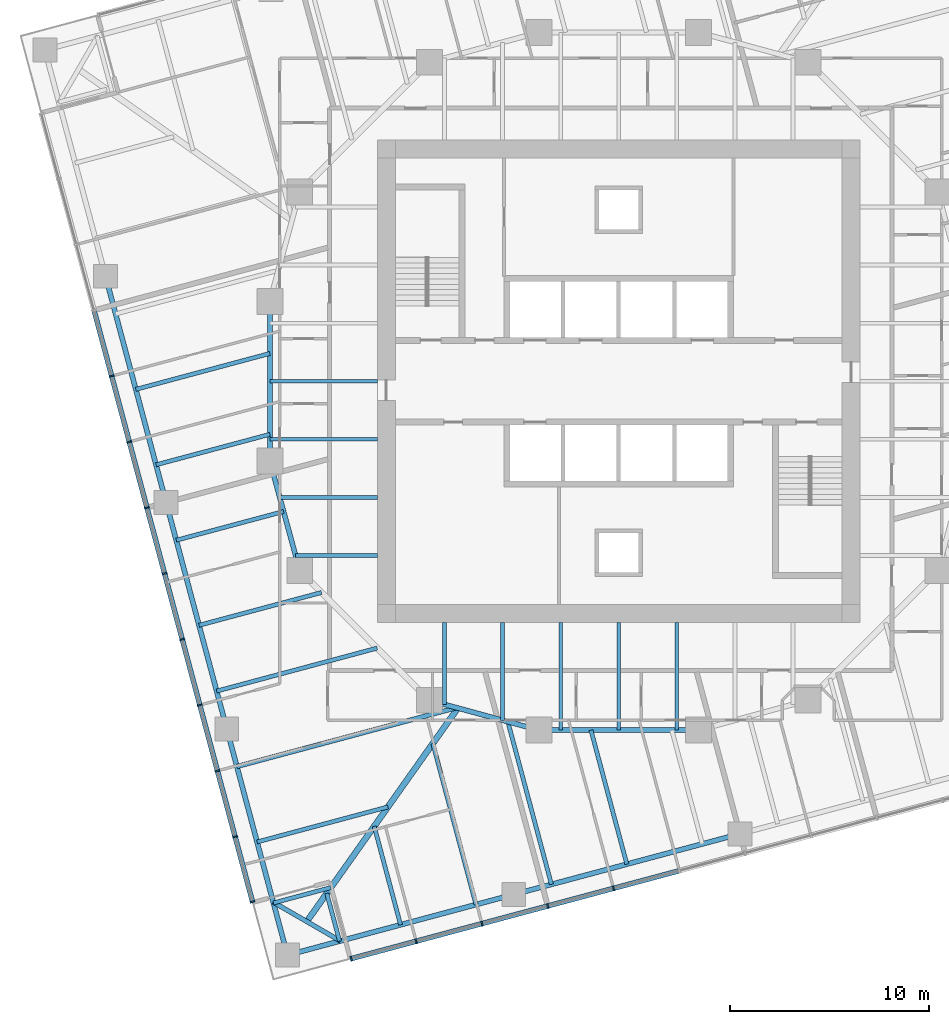
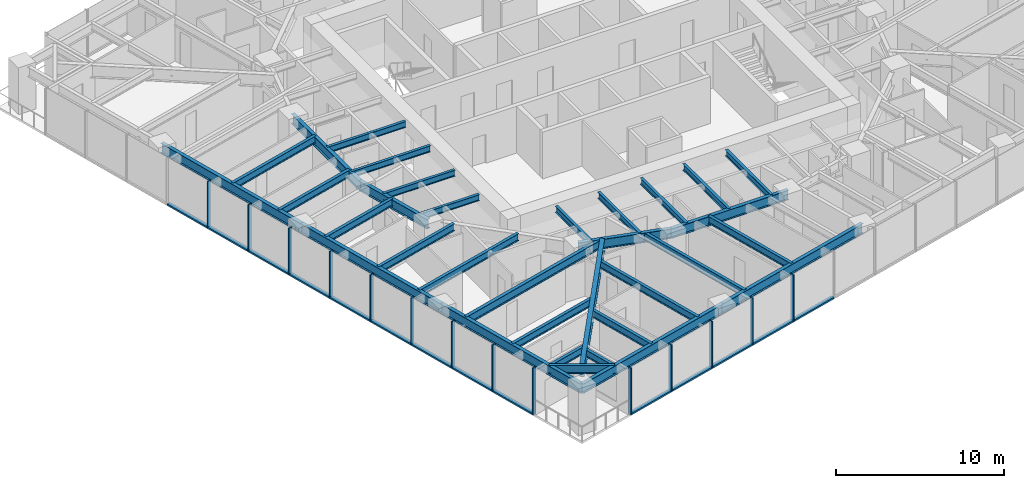
# One storey, part 2 of 14: 33 beams, 28 members, 2 elements without a shape of their own.
"""IFC4 building model written with IfcOpenShell, lengths in metres."""

from ifc_helpers import new_model, si_unit, direction, frame, origin, origin_2d, place, context, subcontext, project, spatial, rectangle, i_section, extrude, material, material_profile, profile_set, type_object, element, aggregate, save


model = new_model("IFC4")

# Units and contexts
model_context = context("Model", 3, precision=1e-05, world=origin(), true_north=direction((0.0, 1.0)))
body_context = subcontext(model_context, "Body", "Model", "MODEL_VIEW")
ifc_project = project(units=[si_unit("LENGTHUNIT", "METRE"), si_unit("AREAUNIT", "SQUARE_METRE"), si_unit("VOLUMEUNIT", "CUBIC_METRE"), si_unit("PLANEANGLEUNIT", "RADIAN"), si_unit("MASSUNIT", "GRAM", prefix="KILO")], contexts=[model_context])

# Site, building, storey
site_placement = place(None, origin())
site = spatial("IfcSite", under=ifc_project, at=site_placement, CompositionType="ELEMENT")
building_placement = place(site_placement, origin())
building = spatial("IfcBuilding", under=site, at=building_placement, Name="Torsade Residences", CompositionType="ELEMENT")
storey_placement = place(building_placement, frame((0.0, 0.0, 121.800048828125)))
storey = spatial("IfcBuildingStorey", under=building, at=storey_placement, Name="L33", CompositionType="ELEMENT", Elevation=121.800048828125)

# Beams
ifc_material_1 = material(Name="Steel grade 300", Category="steel")
ifc_material_profile_1 = material_profile(ifc_material_1, i_section(OverallWidth=0.300048828125, OverallDepth=0.89990234375, WebThickness=0.011962890625, FlangeThickness=0.02490234375, at=origin_2d()), Name="900WB175")
ifc_profile_set_1 = profile_set([ifc_material_profile_1], Name="Steel grade 300")
beam_type_1 = type_object("IfcBeamType", Name="CORNER GIRDER 900WB175", PredefinedType="BEAM", material=ifc_profile_set_1)
beam_1_placement = place(storey_placement, frame((24.355224609375, 2.902587890625, 2.800048828125), z_axis=(0.577683167004, 0.816261084801, 0.0), x_axis=(-0.816261084801, 0.577683167004, 0.0)))
element("IfcBeam", 1, at=beam_1_placement, inside=storey, type_object=beam_type_1, Name="Corner girder 01 L34", PredefinedType="BEAM", context=body_context, shape_type="SweptSolid", body=[
    extrude(i_section(OverallWidth=0.300048828125, OverallDepth=0.89990234375, WebThickness=0.011962890625, FlangeThickness=0.02490234375, at=origin_2d()), origin(), (0.0, 0.0, 1.0), 13.116943359375),
])
ifc_material_2 = material(Name="Steel grade 300", Category="steel")
ifc_material_profile_2 = material_profile(ifc_material_2, i_section(OverallWidth=0.22802734375, OverallDepth=0.60205078125, WebThickness=0.010498046875, FlangeThickness=0.014892578125, FilletRadius=0.013916015625, at=origin_2d()), Name="610UB101")
ifc_profile_set_2 = profile_set([ifc_material_profile_2], Name="Steel grade 300")
beam_type_2 = type_object("IfcBeamType", Name="CORNER TRIMMER 610UB101", PredefinedType="BEAM", material=ifc_profile_set_2)
beam_2_placement = place(storey_placement, frame((26.039306640625, 1.93017578125, 2.948974609375), z_axis=(-0.866028782848, 0.499994147244, 0.0), x_axis=(-0.499994147244, -0.866028782848, 0.0)))
element("IfcBeam", 2, at=beam_2_placement, inside=storey, type_object=beam_type_2, Name="Corner trimmer 01 L34", PredefinedType="BEAM", context=body_context, shape_type="SweptSolid", body=[
    extrude(i_section(OverallWidth=0.22802734375, OverallDepth=0.60205078125, WebThickness=0.010498046875, FlangeThickness=0.014892578125, FilletRadius=0.013916015625, at=origin_2d()), origin(), (0.0, 0.0, 1.0), 3.88916015625),
])
ifc_material_3 = material(Name="Steel grade 300", Category="steel")
ifc_material_profile_3 = material_profile(ifc_material_3, i_section(OverallWidth=0.25, OverallDepth=0.699951171875, WebThickness=0.010009765625, FlangeThickness=0.02001953125, at=origin_2d()), Name="700WB130")
ifc_profile_set_3 = profile_set([ifc_material_profile_3], Name="Steel grade 300")
beam_type_3 = type_object("IfcBeamType", Name="EDGE BEAM 700WB130", PredefinedType="SPANDREL", material=ifc_profile_set_3)
for number, where, z_axis, x_axis, name in (
    (3, (23.383056640625, 1.218505859375, 2.89990234375), (0.965928018634, 0.258810863021, 0.0), (-0.258810863021, 0.965928018634, 0.0), "Edge beam 01 L34"),
    (4, (34.732666015625, 4.259521484375, 2.89990234375), (0.965922824118, 0.258830249097, 0.0), (-0.258830249097, 0.965922824118, 0.0), "Edge beam 02 L34"),
    (5, (14.259521484375, 35.267333984375, 2.89990234375), (0.258830249097, -0.965922824118, 0.0), (0.965922824118, 0.258830249097, 0.0), "Edge beam 14 L34"),
    (6, (17.30078125, 23.917724609375, 2.89990234375), (0.258810863021, -0.965928018634, 0.0), (0.965928018634, 0.258810863021, 0.0), "Edge beam 15 L34"),
    (7, (20.341796875, 12.568115234375, 2.89990234375), (0.258830249097, -0.965922824118, 0.0), (0.965922824118, 0.258830249097, 0.0), "Edge beam 16 L34"),
):
    element("IfcBeam", number, at=place(storey_placement, frame(where, z_axis=z_axis, x_axis=x_axis)), inside=storey, type_object=beam_type_3, Name=name, PredefinedType="SPANDREL", context=body_context, shape_type="SweptSolid", body=[
        extrude(i_section(OverallWidth=0.25, OverallDepth=0.699951171875, WebThickness=0.010009765625, FlangeThickness=0.02001953125, at=origin_2d()), origin(), (0.0, 0.0, 1.0), 11.75),
    ])
ifc_material_4 = material(Name="Steel grade 300", Category="steel")
ifc_material_profile_4 = material_profile(ifc_material_4, i_section(OverallWidth=0.18994140625, OverallDepth=0.4541015625, WebThickness=0.008544921875, FlangeThickness=0.0126953125, FilletRadius=0.011474609375, at=origin_2d()), Name="460UB67.1")
ifc_profile_set_4 = profile_set([ifc_material_profile_4], Name="Steel grade 300")
beam_type_4 = type_object("IfcBeamType", Name="INNER FLOOR BEAM 460UB67.1", PredefinedType="JOIST", material=ifc_profile_set_4)
for number, where, z_axis, x_axis, name in (
    (8, (42.91259765625, 17.89990234375, 3.02294921875), (0.0, -1.0, 0.0), (1.0, 0.0, 0.0), "Inner floor beam IS03 L34"),
    (9, (40.0, 17.89990234375, 3.02294921875), (0.0, -1.0, 0.0), (1.0, 0.0, 0.0), "Inner floor beam IS04 L34"),
    (10, (37.08740234375, 17.89990234375, 3.02294921875), (0.0, -1.0, 0.0), (1.0, 0.0, 0.0), "Inner floor beam IS05 L34"),
):
    element("IfcBeam", number, at=place(storey_placement, frame(where, z_axis=z_axis, x_axis=x_axis)), inside=storey, type_object=beam_type_4, Name=name, PredefinedType="JOIST", context=body_context, shape_type="SweptSolid", body=[
        extrude(i_section(OverallWidth=0.18994140625, OverallDepth=0.4541015625, WebThickness=0.008544921875, FlangeThickness=0.0126953125, FilletRadius=0.011474609375, at=origin_2d()), origin(), (0.0, 0.0, 1.0), 5.39990234375),
    ])
beam_3_placement = place(storey_placement, frame((34.175048828125, 17.89990234375, 3.02294921875), z_axis=(0.0, -1.0, 0.0), x_axis=(1.0, 0.0, 0.0)))
element("IfcBeam", 11, at=beam_3_placement, inside=storey, type_object=beam_type_4, Name="Inner floor beam IS06 L34", PredefinedType="JOIST", context=body_context, shape_type="SweptSolid", body=[
    extrude(i_section(OverallWidth=0.18994140625, OverallDepth=0.4541015625, WebThickness=0.008544921875, FlangeThickness=0.0126953125, FilletRadius=0.011474609375, at=origin_2d()), origin(), (0.0, 0.0, 1.0), 4.902099609375),
])
beam_4_placement = place(storey_placement, frame((31.262451171875, 17.89990234375, 3.02294921875), z_axis=(0.0, -1.0, 0.0), x_axis=(1.0, 0.0, 0.0)))
element("IfcBeam", 12, at=beam_4_placement, inside=storey, type_object=beam_type_4, Name="Inner floor beam IS07 L34", PredefinedType="JOIST", context=body_context, shape_type="SweptSolid", body=[
    extrude(i_section(OverallWidth=0.18994140625, OverallDepth=0.4541015625, WebThickness=0.008544921875, FlangeThickness=0.0126953125, FilletRadius=0.011474609375, at=origin_2d()), origin(), (0.0, 0.0, 1.0), 4.10791015625),
])
for number, where, z_axis, x_axis, name in (
    (13, (27.89990234375, 30.0, 3.02294921875), (-1.0, 0.0, 0.0), (0.0, -1.0, 0.0), "Inner floor beam IW04 L34"),
    (14, (27.89990234375, 27.08740234375, 3.02294921875), (-1.0, 0.0, 0.0), (0.0, -1.0, 0.0), "Inner floor beam IW05 L34"),
):
    element("IfcBeam", number, at=place(storey_placement, frame(where, z_axis=z_axis, x_axis=x_axis)), inside=storey, type_object=beam_type_4, Name=name, PredefinedType="JOIST", context=body_context, shape_type="SweptSolid", body=[
        extrude(i_section(OverallWidth=0.18994140625, OverallDepth=0.4541015625, WebThickness=0.008544921875, FlangeThickness=0.0126953125, FilletRadius=0.011474609375, at=origin_2d()), origin(), (0.0, 0.0, 1.0), 5.39990234375),
    ])
beam_5_placement = place(storey_placement, frame((27.89990234375, 24.175048828125, 3.02294921875), z_axis=(-1.0, 0.0, 0.0), x_axis=(0.0, -1.0, 0.0)))
element("IfcBeam", 15, at=beam_5_placement, inside=storey, type_object=beam_type_4, Name="Inner floor beam IW06 L34", PredefinedType="JOIST", context=body_context, shape_type="SweptSolid", body=[
    extrude(i_section(OverallWidth=0.18994140625, OverallDepth=0.4541015625, WebThickness=0.008544921875, FlangeThickness=0.0126953125, FilletRadius=0.011474609375, at=origin_2d()), origin(), (0.0, 0.0, 1.0), 4.902099609375),
])
beam_6_placement = place(storey_placement, frame((27.89990234375, 21.262451171875, 3.02294921875), z_axis=(-1.0, 0.0, 0.0), x_axis=(0.0, -1.0, 0.0)))
element("IfcBeam", 16, at=beam_6_placement, inside=storey, type_object=beam_type_4, Name="Inner floor beam IW07 L34", PredefinedType="JOIST", context=body_context, shape_type="SweptSolid", body=[
    extrude(i_section(OverallWidth=0.18994140625, OverallDepth=0.4541015625, WebThickness=0.008544921875, FlangeThickness=0.0126953125, FilletRadius=0.011474609375, at=origin_2d()), origin(), (0.0, 0.0, 1.0), 4.10791015625),
])

# Curtain wall, members
ifc_material_5 = material(Name="Aluminium and glass", Category="aluminium")
curtain_wall_type = type_object("IfcCurtainWallType", Name="FRITTED GLASS CURTAIN WALL MID ZONE", PredefinedType="NOTDEFINED", material=ifc_material_5)
curtain_wall_1_placement = place(storey_placement, origin())
curtain_wall_1 = element("IfcCurtainWall", 17, at=curtain_wall_1_placement, inside=storey, type_object=curtain_wall_type, Name="Curtain wall L33 face 1", PredefinedType="NOTDEFINED")
ifc_material_6 = material(Name="Aluminium mullion", Category="aluminium")
ifc_material_profile_5 = material_profile(ifc_material_6, rectangle(XDim=0.25, YDim=0.080078125, at=origin_2d()), Name="MID ZONE CURTAIN WALL MULLION 250x80")
ifc_profile_set_5 = profile_set([ifc_material_profile_5], Name="Aluminium mullion")
member_type_1 = type_object("IfcMemberType", Name="MID ZONE CURTAIN WALL MULLION 250x80", PredefinedType="MULLION", material=ifc_profile_set_5)
member_1_placement = place(storey_placement, frame((26.578125, 1.039306640625, 0.0), z_axis=(0.0, 0.0, 1.0), x_axis=(-0.258819047783, 0.965925825571, 0.0)))
member_1 = element("IfcMember", 18, at=member_1_placement, type_object=member_type_1, Name="Mullion 1", PredefinedType="MULLION", context=body_context, shape_type="SweptSolid", body=[
    extrude(rectangle(XDim=0.25, YDim=0.080078125, at=origin_2d()), origin(), (0.0, 0.0, 1.0), 3.39990234375),
])
member_2_placement = place(storey_placement, frame((29.83984375, 1.913330078125, 0.0), z_axis=(0.0, 0.0, 1.0), x_axis=(-0.258819047783, 0.965925825571, 0.0)))
member_2 = element("IfcMember", 19, at=member_2_placement, type_object=member_type_1, Name="Mullion 2", PredefinedType="MULLION", context=body_context, shape_type="SweptSolid", body=[
    extrude(rectangle(XDim=0.25, YDim=0.080078125, at=origin_2d()), origin(), (0.0, 0.0, 1.0), 3.39990234375),
])
member_3_placement = place(storey_placement, frame((33.14013671875, 2.797607421875, 0.0), z_axis=(0.0, 0.0, 1.0), x_axis=(-0.258819047783, 0.965925825571, 0.0)))
member_3 = element("IfcMember", 20, at=member_3_placement, type_object=member_type_1, Name="Mullion 3", PredefinedType="MULLION", context=body_context, shape_type="SweptSolid", body=[
    extrude(rectangle(XDim=0.25, YDim=0.080078125, at=origin_2d()), origin(), (0.0, 0.0, 1.0), 3.39990234375),
])
member_4_placement = place(storey_placement, frame((36.4404296875, 3.681884765625, 0.0), z_axis=(0.0, 0.0, 1.0), x_axis=(-0.258819047783, 0.965925825571, 0.0)))
member_4 = element("IfcMember", 21, at=member_4_placement, type_object=member_type_1, Name="Mullion 4", PredefinedType="MULLION", context=body_context, shape_type="SweptSolid", body=[
    extrude(rectangle(XDim=0.25, YDim=0.080078125, at=origin_2d()), origin(), (0.0, 0.0, 1.0), 3.39990234375),
])
member_5_placement = place(storey_placement, frame((39.740478515625, 4.566162109375, 0.0), z_axis=(0.0, 0.0, 1.0), x_axis=(-0.258819047783, 0.965925825571, 0.0)))
member_5 = element("IfcMember", 22, at=member_5_placement, type_object=member_type_1, Name="Mullion 5", PredefinedType="MULLION", context=body_context, shape_type="SweptSolid", body=[
    extrude(rectangle(XDim=0.25, YDim=0.080078125, at=origin_2d()), origin(), (0.0, 0.0, 1.0), 3.39990234375),
])

curtain_wall_2_placement = place(storey_placement, origin())
curtain_wall_2 = element("IfcCurtainWall", 23, at=curtain_wall_2_placement, inside=storey, type_object=curtain_wall_type, Name="Curtain wall L33 face 10", PredefinedType="NOTDEFINED")
member_6_placement = place(storey_placement, frame((14.566162109375, 30.259521484375, 0.0), z_axis=(0.0, 0.0, 1.0), x_axis=(0.965925825571, 0.258819047783, 0.0)))
member_6 = element("IfcMember", 24, at=member_6_placement, type_object=member_type_1, Name="Mullion 5", PredefinedType="MULLION", context=body_context, shape_type="SweptSolid", body=[
    extrude(rectangle(XDim=0.25, YDim=0.080078125, at=origin_2d()), origin(), (0.0, 0.0, 1.0), 3.39990234375),
])
member_7_placement = place(storey_placement, frame((15.450439453125, 26.959228515625, 0.0), z_axis=(0.0, 0.0, 1.0), x_axis=(0.965925825571, 0.258819047783, 0.0)))
member_7 = element("IfcMember", 25, at=member_7_placement, type_object=member_type_1, Name="Mullion 6", PredefinedType="MULLION", context=body_context, shape_type="SweptSolid", body=[
    extrude(rectangle(XDim=0.25, YDim=0.080078125, at=origin_2d()), origin(), (0.0, 0.0, 1.0), 3.39990234375),
])
member_8_placement = place(storey_placement, frame((16.334716796875, 23.658935546875, 0.0), z_axis=(0.0, 0.0, 1.0), x_axis=(0.965925825571, 0.258819047783, 0.0)))
member_8 = element("IfcMember", 26, at=member_8_placement, type_object=member_type_1, Name="Mullion 7", PredefinedType="MULLION", context=body_context, shape_type="SweptSolid", body=[
    extrude(rectangle(XDim=0.25, YDim=0.080078125, at=origin_2d()), origin(), (0.0, 0.0, 1.0), 3.39990234375),
])
member_9_placement = place(storey_placement, frame((17.218994140625, 20.358642578125, 0.0), z_axis=(0.0, 0.0, 1.0), x_axis=(0.965925825571, 0.258819047783, 0.0)))
member_9 = element("IfcMember", 27, at=member_9_placement, type_object=member_type_1, Name="Mullion 8", PredefinedType="MULLION", context=body_context, shape_type="SweptSolid", body=[
    extrude(rectangle(XDim=0.25, YDim=0.080078125, at=origin_2d()), origin(), (0.0, 0.0, 1.0), 3.39990234375),
])
member_10_placement = place(storey_placement, frame((18.103515625, 17.058349609375, 0.0), z_axis=(0.0, 0.0, 1.0), x_axis=(0.965925825571, 0.258819047783, 0.0)))
member_10 = element("IfcMember", 28, at=member_10_placement, type_object=member_type_1, Name="Mullion 9", PredefinedType="MULLION", context=body_context, shape_type="SweptSolid", body=[
    extrude(rectangle(XDim=0.25, YDim=0.080078125, at=origin_2d()), origin(), (0.0, 0.0, 1.0), 3.39990234375),
])
member_11_placement = place(storey_placement, frame((18.98779296875, 13.75830078125, 0.0), z_axis=(0.0, 0.0, 1.0), x_axis=(0.965925825571, 0.258819047783, 0.0)))
member_11 = element("IfcMember", 29, at=member_11_placement, type_object=member_type_1, Name="Mullion 10", PredefinedType="MULLION", context=body_context, shape_type="SweptSolid", body=[
    extrude(rectangle(XDim=0.25, YDim=0.080078125, at=origin_2d()), origin(), (0.0, 0.0, 1.0), 3.39990234375),
])
member_12_placement = place(storey_placement, frame((19.8720703125, 10.4580078125, 0.0), z_axis=(0.0, 0.0, 1.0), x_axis=(0.965925825571, 0.258819047783, 0.0)))
member_12 = element("IfcMember", 30, at=member_12_placement, type_object=member_type_1, Name="Mullion 11", PredefinedType="MULLION", context=body_context, shape_type="SweptSolid", body=[
    extrude(rectangle(XDim=0.25, YDim=0.080078125, at=origin_2d()), origin(), (0.0, 0.0, 1.0), 3.39990234375),
])
member_13_placement = place(storey_placement, frame((20.75634765625, 7.15771484375, 0.0), z_axis=(0.0, 0.0, 1.0), x_axis=(0.965925825571, 0.258819047783, 0.0)))
member_13 = element("IfcMember", 31, at=member_13_placement, type_object=member_type_1, Name="Mullion 12", PredefinedType="MULLION", context=body_context, shape_type="SweptSolid", body=[
    extrude(rectangle(XDim=0.25, YDim=0.080078125, at=origin_2d()), origin(), (0.0, 0.0, 1.0), 3.39990234375),
])
member_14_placement = place(storey_placement, frame((21.63037109375, 3.89599609375, 0.0), z_axis=(0.0, 0.0, 1.0), x_axis=(0.965925825571, 0.258819047783, 0.0)))
member_14 = element("IfcMember", 32, at=member_14_placement, type_object=member_type_1, Name="Mullion 13", PredefinedType="MULLION", context=body_context, shape_type="SweptSolid", body=[
    extrude(rectangle(XDim=0.25, YDim=0.080078125, at=origin_2d()), origin(), (0.0, 0.0, 1.0), 3.39990234375),
])

# Member
ifc_material_7 = material(Name="Aluminium transom", Category="aluminium")
ifc_material_profile_6 = material_profile(ifc_material_7, rectangle(XDim=0.25, YDim=0.110107421875, at=origin_2d()), Name="MID ZONE CURTAIN WALL TRANSOM 250x110")
ifc_profile_set_6 = profile_set([ifc_material_profile_6], Name="Aluminium transom")
member_type_2 = type_object("IfcMemberType", Name="MID ZONE CURTAIN WALL TRANSOM 250x110", PredefinedType="USERDEFINED", material=ifc_profile_set_6)
member_15_placement = place(storey_placement, frame((26.616943359375, 1.0498046875, 0.054931640625), z_axis=(0.965923258633, 0.258828627534, 0.0), x_axis=(-0.258828627534, 0.965923258633, 0.0)))
member_15 = element("IfcMember", 33, at=member_15_placement, type_object=member_type_2, Name="Transom 1.1", ObjectType="TRANSOM", PredefinedType="USERDEFINED", context=body_context, shape_type="SweptSolid", body=[
    extrude(rectangle(XDim=0.25, YDim=0.110107421875, at=origin_2d()), origin(), (0.0, 0.0, 1.0), 3.296630859375),
])

member_16_placement = place(storey_placement, frame((29.87841796875, 1.923583984375, 0.054931640625), z_axis=(0.965916044226, 0.258855549498, 0.0), x_axis=(-0.258855549498, 0.965916044226, 0.0)))
member_16 = element("IfcMember", 34, at=member_16_placement, type_object=member_type_2, Name="Transom 2.1", ObjectType="TRANSOM", PredefinedType="USERDEFINED", context=body_context, shape_type="SweptSolid", body=[
    extrude(rectangle(XDim=0.25, YDim=0.110107421875, at=origin_2d()), origin(), (0.0, 0.0, 1.0), 3.3369140625),
])

member_17_placement = place(storey_placement, frame((33.1787109375, 2.807861328125, 0.054931640625), z_axis=(0.96591114124, 0.258873844232, 0.0), x_axis=(-0.258873844232, 0.96591114124, 0.0)))
member_17 = element("IfcMember", 35, at=member_17_placement, type_object=member_type_2, Name="Transom 3.1", ObjectType="TRANSOM", PredefinedType="USERDEFINED", context=body_context, shape_type="SweptSolid", body=[
    extrude(rectangle(XDim=0.25, YDim=0.110107421875, at=origin_2d()), origin(), (0.0, 0.0, 1.0), 3.336669921875),
])

member_18_placement = place(storey_placement, frame((36.47900390625, 3.6923828125, 0.054931640625), z_axis=(0.965929435155, 0.258805576255, 0.0), x_axis=(-0.258805576255, 0.965929435155, 0.0)))
member_18 = element("IfcMember", 36, at=member_18_placement, type_object=member_type_2, Name="Transom 4.1", ObjectType="TRANSOM", PredefinedType="USERDEFINED", context=body_context, shape_type="SweptSolid", body=[
    extrude(rectangle(XDim=0.25, YDim=0.110107421875, at=origin_2d()), origin(), (0.0, 0.0, 1.0), 3.336669921875),
])

member_19_placement = place(storey_placement, frame((39.779296875, 4.57666015625, 0.054931640625), z_axis=(0.965929435155, 0.258805576255, 0.0), x_axis=(-0.258805576255, 0.965929435155, 0.0)))
member_19 = element("IfcMember", 37, at=member_19_placement, type_object=member_type_2, Name="Transom 5.1", ObjectType="TRANSOM", PredefinedType="USERDEFINED", context=body_context, shape_type="SweptSolid", body=[
    extrude(rectangle(XDim=0.25, YDim=0.110107421875, at=origin_2d()), origin(), (0.0, 0.0, 1.0), 3.336669921875),
])

aggregate(curtain_wall_1, [member_1, member_2, member_3, member_4, member_5, member_15, member_16, member_17, member_18, member_19])

member_20_placement = place(storey_placement, frame((13.6923828125, 33.52099609375, 0.054931640625), z_axis=(0.258805576255, -0.965929435155, 0.0), x_axis=(0.965929435155, 0.258805576255, 0.0)))
member_20 = element("IfcMember", 38, at=member_20_placement, type_object=member_type_2, Name="Transom 4.1", ObjectType="TRANSOM", PredefinedType="USERDEFINED", context=body_context, shape_type="SweptSolid", body=[
    extrude(rectangle(XDim=0.25, YDim=0.110107421875, at=origin_2d()), origin(), (0.0, 0.0, 1.0), 3.336669921875),
])

member_21_placement = place(storey_placement, frame((14.57666015625, 30.220703125, 0.054931640625), z_axis=(0.258805576255, -0.965929435155, 0.0), x_axis=(0.965929435155, 0.258805576255, 0.0)))
member_21 = element("IfcMember", 39, at=member_21_placement, type_object=member_type_2, Name="Transom 5.1", ObjectType="TRANSOM", PredefinedType="USERDEFINED", context=body_context, shape_type="SweptSolid", body=[
    extrude(rectangle(XDim=0.25, YDim=0.110107421875, at=origin_2d()), origin(), (0.0, 0.0, 1.0), 3.336669921875),
])

member_22_placement = place(storey_placement, frame((15.4609375, 26.920654296875, 0.054931640625), z_axis=(0.258787285653, -0.965934335648, 0.0), x_axis=(0.965934335648, 0.258787285653, 0.0)))
member_22 = element("IfcMember", 40, at=member_22_placement, type_object=member_type_2, Name="Transom 6.1", ObjectType="TRANSOM", PredefinedType="USERDEFINED", context=body_context, shape_type="SweptSolid", body=[
    extrude(rectangle(XDim=0.25, YDim=0.110107421875, at=origin_2d()), origin(), (0.0, 0.0, 1.0), 3.3369140625),
])

member_23_placement = place(storey_placement, frame((16.34521484375, 23.620361328125, 0.054931640625), z_axis=(0.258787285653, -0.965934335648, 0.0), x_axis=(0.965934335648, 0.258787285653, 0.0)))
member_23 = element("IfcMember", 41, at=member_23_placement, type_object=member_type_2, Name="Transom 7.1", ObjectType="TRANSOM", PredefinedType="USERDEFINED", context=body_context, shape_type="SweptSolid", body=[
    extrude(rectangle(XDim=0.25, YDim=0.110107421875, at=origin_2d()), origin(), (0.0, 0.0, 1.0), 3.3369140625),
])

member_24_placement = place(storey_placement, frame((17.2294921875, 20.320068359375, 0.054931640625), z_axis=(0.258805576255, -0.965929435155, 0.0), x_axis=(0.965929435155, 0.258805576255, 0.0)))
member_24 = element("IfcMember", 42, at=member_24_placement, type_object=member_type_2, Name="Transom 8.1", ObjectType="TRANSOM", PredefinedType="USERDEFINED", context=body_context, shape_type="SweptSolid", body=[
    extrude(rectangle(XDim=0.25, YDim=0.110107421875, at=origin_2d()), origin(), (0.0, 0.0, 1.0), 3.336669921875),
])

member_25_placement = place(storey_placement, frame((18.11376953125, 17.019775390625, 0.054931640625), z_axis=(0.258805576255, -0.965929435155, 0.0), x_axis=(0.965929435155, 0.258805576255, 0.0)))
member_25 = element("IfcMember", 43, at=member_25_placement, type_object=member_type_2, Name="Transom 9.1", ObjectType="TRANSOM", PredefinedType="USERDEFINED", context=body_context, shape_type="SweptSolid", body=[
    extrude(rectangle(XDim=0.25, YDim=0.110107421875, at=origin_2d()), origin(), (0.0, 0.0, 1.0), 3.336669921875),
])

member_26_placement = place(storey_placement, frame((18.998046875, 13.719482421875, 0.054931640625), z_axis=(0.258805576255, -0.965929435155, 0.0), x_axis=(0.965929435155, 0.258805576255, 0.0)))
member_26 = element("IfcMember", 44, at=member_26_placement, type_object=member_type_2, Name="Transom 10.1", ObjectType="TRANSOM", PredefinedType="USERDEFINED", context=body_context, shape_type="SweptSolid", body=[
    extrude(rectangle(XDim=0.25, YDim=0.110107421875, at=origin_2d()), origin(), (0.0, 0.0, 1.0), 3.336669921875),
])

member_27_placement = place(storey_placement, frame((19.88232421875, 10.419189453125, 0.054931640625), z_axis=(0.258805576255, -0.965929435155, 0.0), x_axis=(0.965929435155, 0.258805576255, 0.0)))
member_27 = element("IfcMember", 45, at=member_27_placement, type_object=member_type_2, Name="Transom 11.1", ObjectType="TRANSOM", PredefinedType="USERDEFINED", context=body_context, shape_type="SweptSolid", body=[
    extrude(rectangle(XDim=0.25, YDim=0.110107421875, at=origin_2d()), origin(), (0.0, 0.0, 1.0), 3.336669921875),
])

member_28_placement = place(storey_placement, frame((20.7666015625, 7.119140625, 0.054931640625), z_axis=(0.258828627534, -0.965923258633, 0.0), x_axis=(0.965923258633, 0.258828627534, 0.0)))
member_28 = element("IfcMember", 46, at=member_28_placement, type_object=member_type_2, Name="Transom 12.1", ObjectType="TRANSOM", PredefinedType="USERDEFINED", context=body_context, shape_type="SweptSolid", body=[
    extrude(rectangle(XDim=0.25, YDim=0.110107421875, at=origin_2d()), origin(), (0.0, 0.0, 1.0), 3.296630859375),
])

aggregate(curtain_wall_2, [member_6, member_7, member_8, member_9, member_10, member_11, member_12, member_13, member_14, member_20, member_21, member_22, member_23, member_24, member_25, member_26, member_27, member_28])

# Beams
ifc_material_8 = material(Name="Steel grade 300", Category="steel")
ifc_material_profile_7 = material_profile(ifc_material_8, i_section(OverallWidth=0.25, OverallDepth=0.699951171875, WebThickness=0.010009765625, FlangeThickness=0.02001953125, at=origin_2d()), Name="700WB130")
ifc_profile_set_7 = profile_set([ifc_material_profile_7], Name="Steel grade 300")
beam_type_5 = type_object("IfcBeamType", Name="RING GIRDER 700WB130", PredefinedType="BEAM", material=ifc_profile_set_7)
beam_7_placement = place(storey_placement, frame((22.5, 34.0, 2.89990234375), z_axis=(0.0, -1.0, 0.0), x_axis=(1.0, 0.0, 0.0)))
element("IfcBeam", 47, at=beam_7_placement, inside=storey, type_object=beam_type_5, Name="Ring girder IR09 L34", PredefinedType="BEAM", context=body_context, shape_type="SweptSolid", body=[
    extrude(i_section(OverallWidth=0.25, OverallDepth=0.699951171875, WebThickness=0.010009765625, FlangeThickness=0.02001953125, at=origin_2d()), origin(), (0.0, 0.0, 1.0), 8.0),
])
for number, where, z_axis, x_axis, name in (
    (48, (22.5, 26.0, 2.89990234375), (0.263117405792, -0.964763821238, 0.0), (0.964763821238, 0.263117405792, 0.0), "Ring girder IR10 L34"),
    (49, (30.5, 14.0, 2.89990234375), (0.964763821238, -0.263117405792, 0.0), (0.263117405792, 0.964763821238, 0.0), "Ring girder IR12 L34"),
):
    element("IfcBeam", number, at=place(storey_placement, frame(where, z_axis=z_axis, x_axis=x_axis)), inside=storey, type_object=beam_type_5, Name=name, PredefinedType="BEAM", context=body_context, shape_type="SweptSolid", body=[
        extrude(i_section(OverallWidth=0.25, OverallDepth=0.699951171875, WebThickness=0.010009765625, FlangeThickness=0.02001953125, at=origin_2d()), origin(), (0.0, 0.0, 1.0), 5.700927734375),
    ])
beam_8_placement = place(storey_placement, frame((36.0, 12.5, 2.89990234375), z_axis=(1.0, 0.0, 0.0), x_axis=(0.0, 1.0, 0.0)))
element("IfcBeam", 50, at=beam_8_placement, inside=storey, type_object=beam_type_5, Name="Ring girder IR13 L34", PredefinedType="BEAM", context=body_context, shape_type="SweptSolid", body=[
    extrude(i_section(OverallWidth=0.25, OverallDepth=0.699951171875, WebThickness=0.010009765625, FlangeThickness=0.02001953125, at=origin_2d()), origin(), (0.0, 0.0, 1.0), 8.0),
])
ifc_material_9 = material(Name="Steel grade 300", Category="steel")
ifc_material_profile_8 = material_profile(ifc_material_9, i_section(OverallWidth=0.208984375, OverallDepth=0.528076171875, WebThickness=0.009521484375, FlangeThickness=0.01318359375, FilletRadius=0.013916015625, at=origin_2d()), Name="530UB82.0")
ifc_profile_set_8 = profile_set([ifc_material_profile_8], Name="Steel grade 300")
beam_type_6 = type_object("IfcBeamType", Name="SECONDARY BEAM 530UB82.0", PredefinedType="JOIST", material=ifc_profile_set_8)
beam_9_placement = place(storey_placement, frame((25.9990234375, 1.91943359375, 2.98583984375), z_axis=(-0.258837674225, 0.965920834438, 0.0), x_axis=(-0.965920834438, -0.258837674225, 0.0)))
element("IfcBeam", 51, at=beam_9_placement, inside=storey, type_object=beam_type_6, Name="Floor beam FS01 L34", PredefinedType="JOIST", context=body_context, shape_type="SweptSolid", body=[
    extrude(i_section(OverallWidth=0.208984375, OverallDepth=0.528076171875, WebThickness=0.009521484375, FlangeThickness=0.01318359375, FilletRadius=0.013916015625, at=origin_2d()), origin(), (0.0, 0.0, 1.0), 2.482666015625),
])
beam_10_placement = place(storey_placement, frame((29.057861328125, 2.739013671875, 2.98583984375), z_axis=(-0.258815647274, 0.965926736728, 0.0), x_axis=(-0.965926736728, -0.258815647274, 0.0)))
element("IfcBeam", 52, at=beam_10_placement, inside=storey, type_object=beam_type_6, Name="Floor beam FS02 L34", PredefinedType="JOIST", context=body_context, shape_type="SweptSolid", body=[
    extrude(i_section(OverallWidth=0.208984375, OverallDepth=0.528076171875, WebThickness=0.009521484375, FlangeThickness=0.01318359375, FilletRadius=0.013916015625, at=origin_2d()), origin(), (0.0, 0.0, 1.0), 5.11279296875),
])
beam_11_placement = place(storey_placement, frame((32.841064453125, 3.752685546875, 2.98583984375), z_axis=(-0.258823120582, 0.965924734258, 0.0), x_axis=(-0.965924734258, -0.258823120582, 0.0)))
element("IfcBeam", 53, at=beam_11_placement, inside=storey, type_object=beam_type_6, Name="Floor beam FS03 L34", PredefinedType="JOIST", context=body_context, shape_type="SweptSolid", body=[
    extrude(i_section(OverallWidth=0.208984375, OverallDepth=0.528076171875, WebThickness=0.009521484375, FlangeThickness=0.01318359375, FilletRadius=0.013916015625, at=origin_2d()), origin(), (0.0, 0.0, 1.0), 8.365966796875),
])
beam_12_placement = place(storey_placement, frame((36.624267578125, 4.766357421875, 2.98583984375), z_axis=(-0.258808315464, 0.965928701223, 0.0), x_axis=(-0.965928701223, -0.258808315464, 0.0)))
element("IfcBeam", 54, at=beam_12_placement, inside=storey, type_object=beam_type_6, Name="Floor beam FS04 L34", PredefinedType="JOIST", context=body_context, shape_type="SweptSolid", body=[
    extrude(i_section(OverallWidth=0.208984375, OverallDepth=0.528076171875, WebThickness=0.009521484375, FlangeThickness=0.01318359375, FilletRadius=0.013916015625, at=origin_2d()), origin(), (0.0, 0.0, 1.0), 8.447509765625),
])
for number, where, z_axis, x_axis, name in (
    (55, (40.407470703125, 5.7802734375, 2.98583984375), (-0.258817945835, 0.965926120836, 0.0), (-0.965926120836, -0.258817945835, 0.0), "Floor beam FS05 L34"),
    (56, (15.7802734375, 29.592529296875, 2.98583984375), (0.965926120836, 0.258817945835, 0.0), (-0.258817945835, 0.965926120836, 0.0), "Floor beam FW05 L34"),
):
    element("IfcBeam", number, at=place(storey_placement, frame(where, z_axis=z_axis, x_axis=x_axis)), inside=storey, type_object=beam_type_6, Name=name, PredefinedType="JOIST", context=body_context, shape_type="SweptSolid", body=[
        extrude(i_section(OverallWidth=0.208984375, OverallDepth=0.528076171875, WebThickness=0.009521484375, FlangeThickness=0.01318359375, FilletRadius=0.013916015625, at=origin_2d()), origin(), (0.0, 0.0, 1.0), 6.956787109375),
    ])
beam_13_placement = place(storey_placement, frame((16.7939453125, 25.809326171875, 2.98583984375), z_axis=(0.965920748174, 0.258837996141, 0.0), x_axis=(-0.258837996141, 0.965920748174, 0.0)))
element("IfcBeam", 57, at=beam_13_placement, inside=storey, type_object=beam_type_6, Name="Floor beam FW06 L34", PredefinedType="JOIST", context=body_context, shape_type="SweptSolid", body=[
    extrude(i_section(OverallWidth=0.208984375, OverallDepth=0.528076171875, WebThickness=0.009521484375, FlangeThickness=0.01318359375, FilletRadius=0.013916015625, at=origin_2d()), origin(), (0.0, 0.0, 1.0), 5.907470703125),
])
beam_14_placement = place(storey_placement, frame((17.8076171875, 22.026123046875, 2.98583984375), z_axis=(0.965923020144, 0.258829517553, 0.0), x_axis=(-0.258829517553, 0.965923020144, 0.0)))
element("IfcBeam", 58, at=beam_14_placement, inside=storey, type_object=beam_type_6, Name="Floor beam FW07 L34", PredefinedType="JOIST", context=body_context, shape_type="SweptSolid", body=[
    extrude(i_section(OverallWidth=0.208984375, OverallDepth=0.528076171875, WebThickness=0.009521484375, FlangeThickness=0.01318359375, FilletRadius=0.013916015625, at=origin_2d()), origin(), (0.0, 0.0, 1.0), 5.57275390625),
])
beam_15_placement = place(storey_placement, frame((18.95068359375, 17.760009765625, 2.98583984375), z_axis=(0.965929717932, 0.258804520856, 0.0), x_axis=(-0.258804520856, 0.965929717932, 0.0)))
element("IfcBeam", 59, at=beam_15_placement, inside=storey, type_object=beam_type_6, Name="Floor beam FW08 L34", PredefinedType="JOIST", context=body_context, shape_type="SweptSolid", body=[
    extrude(i_section(OverallWidth=0.208984375, OverallDepth=0.528076171875, WebThickness=0.009521484375, FlangeThickness=0.01318359375, FilletRadius=0.013916015625, at=origin_2d()), origin(), (0.0, 0.0, 1.0), 6.360107421875),
])
beam_16_placement = place(storey_placement, frame((19.8349609375, 14.459716796875, 2.98583984375), z_axis=(0.96592202475, 0.258833232221, 0.0), x_axis=(-0.258833232221, 0.96592202475, 0.0)))
element("IfcBeam", 60, at=beam_16_placement, inside=storey, type_object=beam_type_6, Name="Floor beam FW09 L34", PredefinedType="JOIST", context=body_context, shape_type="SweptSolid", body=[
    extrude(i_section(OverallWidth=0.208984375, OverallDepth=0.528076171875, WebThickness=0.009521484375, FlangeThickness=0.01318359375, FilletRadius=0.013916015625, at=origin_2d()), origin(), (0.0, 0.0, 1.0), 8.33251953125),
])
beam_17_placement = place(storey_placement, frame((21.862548828125, 6.893310546875, 2.98583984375), z_axis=(0.965927035229, 0.258814533235, 0.0), x_axis=(-0.258814533235, 0.965927035229, 0.0)))
element("IfcBeam", 61, at=beam_17_placement, inside=storey, type_object=beam_type_6, Name="Floor beam FW11 L34", PredefinedType="JOIST", context=body_context, shape_type="SweptSolid", body=[
    extrude(i_section(OverallWidth=0.208984375, OverallDepth=0.528076171875, WebThickness=0.009521484375, FlangeThickness=0.01318359375, FilletRadius=0.013916015625, at=origin_2d()), origin(), (0.0, 0.0, 1.0), 6.792724609375),
])
beam_18_placement = place(storey_placement, frame((22.68212890625, 3.83447265625, 2.98583984375), z_axis=(0.965913310475, 0.258865750242, 0.0), x_axis=(-0.258865750242, 0.965913310475, 0.0)))
element("IfcBeam", 62, at=beam_18_placement, inside=storey, type_object=beam_type_6, Name="Floor beam FW12 L34", PredefinedType="JOIST", context=body_context, shape_type="SweptSolid", body=[
    extrude(i_section(OverallWidth=0.208984375, OverallDepth=0.528076171875, WebThickness=0.009521484375, FlangeThickness=0.01318359375, FilletRadius=0.013916015625, at=origin_2d()), origin(), (0.0, 0.0, 1.0), 2.980224609375),
])
ifc_material_10 = material(Name="Steel grade 300", Category="steel")
ifc_material_profile_9 = material_profile(ifc_material_10, i_section(OverallWidth=0.22900390625, OverallDepth=0.612060546875, WebThickness=0.011962890625, FlangeThickness=0.01953125, FilletRadius=0.013916015625, at=origin_2d()), Name="610UB125")
ifc_profile_set_9 = profile_set([ifc_material_profile_9], Name="Steel grade 300")
beam_type_7 = type_object("IfcBeamType", Name="SECONDARY BEAM 610UB125", PredefinedType="JOIST", material=ifc_profile_set_9)
beam_19_placement = place(storey_placement, frame((20.8486328125, 10.676513671875, 2.94384765625), z_axis=(0.965929035417, 0.258807068179, 0.0), x_axis=(-0.258807068179, 0.965929035417, 0.0)))
element("IfcBeam", 63, at=beam_19_placement, inside=storey, type_object=beam_type_7, Name="Floor beam FW10 L34", PredefinedType="JOIST", context=body_context, shape_type="SweptSolid", body=[
    extrude(i_section(OverallWidth=0.22900390625, OverallDepth=0.612060546875, WebThickness=0.011962890625, FlangeThickness=0.01953125, FilletRadius=0.013916015625, at=origin_2d()), origin(), (0.0, 0.0, 1.0), 11.40380859375),
])

save(model, "model.ifc")
